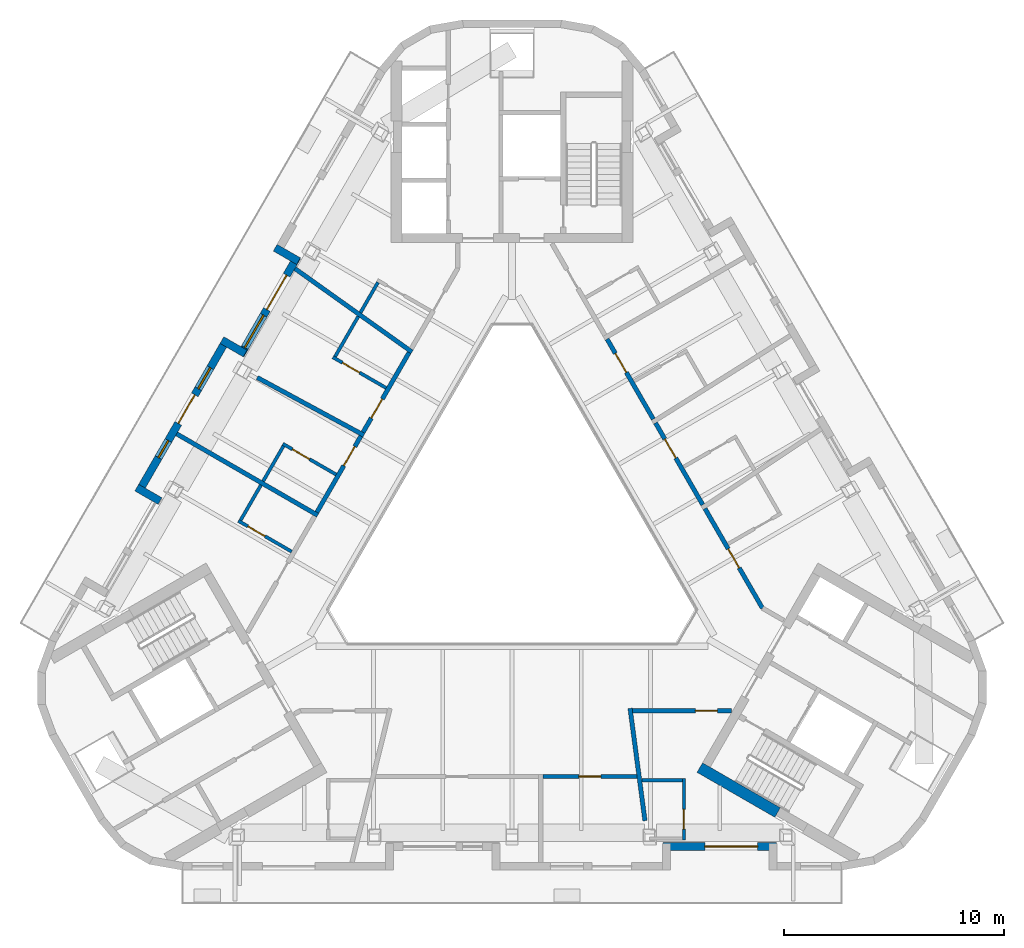
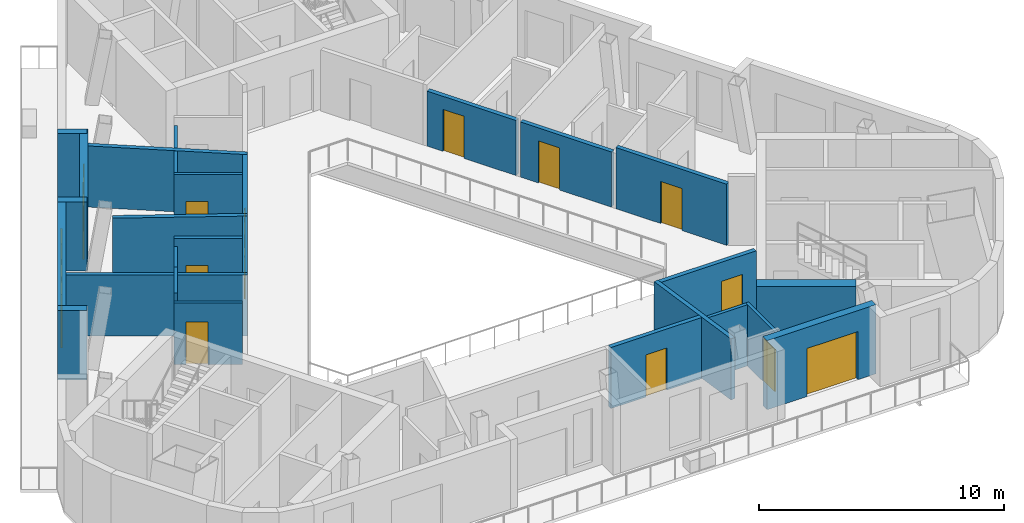
# One storey, part 4 of 11: 27 walls, 14 doors, 3 windows, 17 openings.
"""IFC4 building model written with IfcOpenShell, lengths in metres."""

import ifcopenshell
import ifcopenshell.guid

model = None  # the IFC model being written
_history = None  # IfcOwnerHistory: only IFC2X3 demands one
_inside = {}  # id of a spatial element -> (the spatial element, [elements in it])
_under = {}  # id of a project, library or spatial element -> (it, [spatial elements below it])
_declared = {}  # id of a project -> (the project, [libraries it declares])
_typed = {}  # id of a type object -> (the type object, [elements of that type])
_made_of = {}  # id of a material, layer set ... -> (it, [elements and type objects made of it])


def new_model(schema):
    """Start an empty IFC model of exactly this schema.

    Asked for "IFC4X3", IfcOpenShell would pick the latest addendum, in which some entities
    have other attributes; the version numbers below select the first issue.
    IFC2X3 requires an IfcOwnerHistory on every rooted entity: one is made here for all.
    """
    global model, _history
    if schema == "IFC4X3":
        model = ifcopenshell.file(schema_version=(4, 3, 0, 0))
    else:
        model = ifcopenshell.file(schema=schema)
    _inside.clear()
    _under.clear()
    _declared.clear()
    _typed.clear()
    _made_of.clear()
    _history = None
    if model.schema == "IFC2X3":
        org = make("IfcOrganization", Name="unknown")
        user = make(
            "IfcPersonAndOrganization",
            ThePerson=make("IfcPerson", FamilyName="unknown"),
            TheOrganization=org,
        )
        app = make(
            "IfcApplication",
            ApplicationDeveloper=org,
            Version="unknown",
            ApplicationFullName="unknown",
            ApplicationIdentifier="unknown",
        )
        _history = make(
            "IfcOwnerHistory",
            OwningUser=user,
            OwningApplication=app,
            ChangeAction="ADDED",
            CreationDate=0,
        )
    return model


def make(cls, **values):
    """One entity of the class cls with the attributes given. An attribute that is None is left unset."""
    return model.create_entity(
        cls, **{name: value for name, value in values.items() if value is not None}
    )


def rooted(cls, **values):
    """An entity with a GlobalId (a new one), such as an element, a storey or a relation."""
    return make(cls, GlobalId=ifcopenshell.guid.new(), OwnerHistory=_history, **values)


def si_unit(unit_type, name, prefix=None):
    """IfcSIUnit, for example si_unit("LENGTHUNIT", "METRE", prefix="MILLI")."""
    return make("IfcSIUnit", UnitType=unit_type, Prefix=prefix, Name=name)


def assignment(units):
    """IfcUnitAssignment: the units of a project."""
    return None if units is None else make("IfcUnitAssignment", Units=units)


def point(xyz):
    """IfcCartesianPoint."""
    return None if xyz is None else make("IfcCartesianPoint", Coordinates=xyz)


def direction(xyz):
    """IfcDirection."""
    return None if xyz is None else make("IfcDirection", DirectionRatios=xyz)


def frame(location, z_axis=None, x_axis=None):
    """IfcAxis2Placement3D, a coordinate frame: its origin and axes. An axis left out is left unset."""
    return make(
        "IfcAxis2Placement3D",
        Location=point(location),
        Axis=direction(z_axis),
        RefDirection=direction(x_axis),
    )


def frame_2d(location, x_axis=None):
    """IfcAxis2Placement2D, a coordinate frame in the plane: its origin and x axis."""
    return make(
        "IfcAxis2Placement2D", Location=point(location), RefDirection=direction(x_axis)
    )


def origin():
    """The frame at (0, 0, 0) with its axes left unset."""
    return frame((0.0, 0.0, 0.0))


def place(relative_to, where):
    """IfcLocalPlacement: puts the frame where relative to a parent placement (None: the world)."""
    return make(
        "IfcLocalPlacement", PlacementRelTo=relative_to, RelativePlacement=where
    )


def context(
    kind, dimensions, precision=None, world=None, true_north=None, identifier=None
):
    """IfcGeometricRepresentationContext, for example the 3D "Model" context."""
    return make(
        "IfcGeometricRepresentationContext",
        ContextIdentifier=identifier,
        ContextType=kind,
        CoordinateSpaceDimension=dimensions,
        Precision=precision,
        WorldCoordinateSystem=world,
        TrueNorth=true_north,
    )


def subcontext(parent, identifier, kind, view, scale=None):
    """IfcGeometricRepresentationSubContext, for example "Body" below "Model"."""
    return make(
        "IfcGeometricRepresentationSubContext",
        ContextIdentifier=identifier,
        ContextType=kind,
        ParentContext=parent,
        TargetScale=scale,
        TargetView=view,
    )


def project(units=None, contexts=None):
    """IfcProject with its units and contexts."""
    return rooted(
        "IfcProject",
        Name="project",
        RepresentationContexts=contexts,
        UnitsInContext=assignment(units),
    )


def spatial(cls, under=None, at=None, **own):
    """A site, building, storey or space (cls), placed at a placement, below another one or the project."""
    s = rooted(cls, ObjectPlacement=at, **own)
    if under is not None:
        _under.setdefault(under.id(), (under, []))[1].append(s)
    return s


def profile(cls, at=None, kind="AREA", **sizes):
    """A parametric profile (cls). Its sizes go by their IFC names, for example OverallWidth=200.0."""
    return make(cls, ProfileType=kind, Position=at, **sizes)


def rectangle(**sizes):
    """IfcRectangleProfileDef."""
    return profile("IfcRectangleProfileDef", **sizes)


def extrude(swept, where, along, depth):
    """IfcExtrudedAreaSolid: the profile swept, set in the frame where, extruded along a direction by depth."""
    return make(
        "IfcExtrudedAreaSolid",
        SweptArea=swept,
        Position=where,
        ExtrudedDirection=direction(along),
        Depth=depth,
    )


def shape(context_of_items, identifier, shape_type, items):
    """IfcShapeRepresentation: the items that make up one representation, for example the "Body"."""
    return make(
        "IfcShapeRepresentation",
        ContextOfItems=context_of_items,
        RepresentationIdentifier=identifier,
        RepresentationType=shape_type,
        Items=items,
    )


def material(Name=None, Category=None):
    """IfcMaterial."""
    return make("IfcMaterial", Name=Name, Category=Category)


def layer(
    of_material, thickness, ventilated=None, Name=None, Category=None, Priority=None
):
    """IfcMaterialLayer: one layer of a wall or slab, of a material (None: an air gap)."""
    return make(
        "IfcMaterialLayer",
        Material=of_material,
        LayerThickness=thickness,
        IsVentilated=ventilated,
        Name=Name,
        Category=Category,
        Priority=Priority,
    )


def layer_set(layers, Name=None):
    """IfcMaterialLayerSet."""
    return make("IfcMaterialLayerSet", MaterialLayers=layers, LayerSetName=Name)


def made_of(thing, what):
    """Note that an element or type object is made of a material, layer set ...; save() writes the relation."""
    if what is not None:
        _made_of.setdefault(what.id(), (what, []))[1].append(thing)
    return thing


def type_object(cls, material=None, **own):
    """A type object (cls), such as IfcWallType, which elements share."""
    return made_of(rooted(cls, **own), material)


def element(
    cls,
    number,
    at=None,
    inside=None,
    cuts=None,
    type_object=None,
    material=None,
    context=None,
    identifier="Body",
    shape_type=None,
    held_by="IfcProductDefinitionShape",
    body=None,
    shapes=None,
    **own,
):
    """One element of the class cls, such as IfcWall. Its Tag is "e" and its number.

    at: its placement. inside: the storey or other place that contains it. cuts: it is an
    opening in that element (IfcRelVoidsElement). A single representation is given by context,
    identifier, shape_type and body (its items); several are given by shapes. held_by: the class
    of the entity that holds the representations. save() writes the other relations.
    """
    e = rooted(cls, Tag="e%d" % number, ObjectPlacement=at, **own)
    if body is not None:
        shapes = [shape(context, identifier, shape_type, body)]
    if shapes is not None:
        e.Representation = make(held_by, Representations=shapes)
    if inside is not None:
        _inside.setdefault(inside.id(), (inside, []))[1].append(e)
    if cuts is not None:
        rooted(
            "IfcRelVoidsElement", RelatingBuildingElement=cuts, RelatedOpeningElement=e
        )
    if type_object is not None:
        _typed.setdefault(type_object.id(), (type_object, []))[1].append(e)
    return made_of(e, material)


def fill(opening, filler):
    """IfcRelFillsElement: the door or window that sits in an opening."""
    return rooted(
        "IfcRelFillsElement",
        RelatingOpeningElement=opening,
        RelatedBuildingElement=filler,
    )


def aggregate(whole, parts):
    """IfcRelAggregates: a whole, such as a stair, and the parts it consists of."""
    return rooted("IfcRelAggregates", RelatingObject=whole, RelatedObjects=parts)


def save(model, path):
    """Write the relations noted so far, then the file.

    IfcRelAggregates (storeys below a building ...), IfcRelContainedInSpatialStructure (elements
    in a storey), IfcRelDefinesByType, IfcRelAssociatesMaterial and IfcRelDeclares: one each for
    every whole, place, type object, material and project.
    """
    for whole, parts in _under.values():
        aggregate(whole, parts)
    for where, things in _inside.values():
        rooted(
            "IfcRelContainedInSpatialStructure",
            RelatedElements=things,
            RelatingStructure=where,
        )
    for kind, things in _typed.values():
        rooted("IfcRelDefinesByType", RelatedObjects=things, RelatingType=kind)
    for what, things in _made_of.values():
        rooted("IfcRelAssociatesMaterial", RelatedObjects=things, RelatingMaterial=what)
    for by, libraries in _declared.values():
        rooted("IfcRelDeclares", RelatingContext=by, RelatedDefinitions=libraries)
    model.write(path)


model = new_model("IFC4")

# Units and contexts
model_context = context("Model", 3, precision=1e-05, world=origin(), true_north=direction((0.0, 1.0)))
body_context = subcontext(model_context, "Body", "Model", "MODEL_VIEW")
ifc_project = project(units=[si_unit("LENGTHUNIT", "METRE"), si_unit("AREAUNIT", "SQUARE_METRE"), si_unit("VOLUMEUNIT", "CUBIC_METRE"), si_unit("PLANEANGLEUNIT", "RADIAN"), si_unit("MASSUNIT", "GRAM", prefix="KILO")], contexts=[model_context])

# Site, building, storey
site_placement = place(None, origin())
site = spatial("IfcSite", under=ifc_project, at=site_placement, CompositionType="ELEMENT")
building_placement = place(site_placement, origin())
building = spatial("IfcBuilding", under=site, at=building_placement, Name="Apuvela Tower Hotel", CompositionType="ELEMENT")
storey_placement = place(building_placement, frame((0.0, 0.0, 328.10009765625)))
storey = spatial("IfcBuildingStorey", under=building, at=storey_placement, Name="L82", CompositionType="ELEMENT", Elevation=328.10009765625)

# Walls
ifc_material_1 = material(Name="Concrete C50/60", Category="concrete")
ifc_layer_1 = layer(ifc_material_1, 0.5)
ifc_layer_set_1 = layer_set([ifc_layer_1], Name="COR-WALL-CORE-500")
wall_type_1 = type_object("IfcWallType", Name="COR-WALL-CORE-500", PredefinedType="SHEAR", material=ifc_layer_set_1)
wall_1_placement = place(storey_placement, frame((8.546630859375, -10.99658203125, 0.0), z_axis=(0.0, 0.0, 1.0), x_axis=(0.866031306094, -0.49998977676, 0.0)))
element("IfcWall", 1, at=wall_1_placement, inside=storey, type_object=wall_type_1, Name="Core wall SE", PredefinedType="SHEAR", context=body_context, shape_type="SweptSolid", body=[
    extrude(rectangle(XDim=4.08447265625, YDim=0.5, at=frame_2d((2.042236328125, 0.0))), origin(), (0.0, 0.0, 1.0), 3.449951171875),
])
ifc_material_2 = material(Name="Concrete C40/50, dark pigmented precast panel", Category="concrete")
ifc_layer_2 = layer(ifc_material_2, 0.35009765625)
ifc_layer_set_2 = layer_set([ifc_layer_2], Name="ENV-WALL-350")
wall_type_2 = type_object("IfcWallType", Name="ENV-WALL-350", PredefinedType="SOLIDWALL", material=ifc_layer_set_2)
wall_2_placement = place(storey_placement, frame((-10.773681640625, 12.660400390625, 0.0), z_axis=(0.0, 0.0, 1.0), x_axis=(0.866142280446, -0.499797509021, 0.0)))
element("IfcWall", 2, at=wall_2_placement, inside=storey, type_object=wall_type_2, Name="External wall L82-02", PredefinedType="SOLIDWALL", context=body_context, shape_type="SweptSolid", body=[
    extrude(rectangle(XDim=1.22021484375, YDim=0.35009765625, at=frame_2d((0.610107421875, 0.0))), origin(), (0.0, 0.0, 1.0), 3.449951171875),
])

# Wall, openings, door, window
wall_3_placement = place(storey_placement, frame((-9.77001953125, 12.24853515625, 0.0), z_axis=(0.0, 0.0, 1.0), x_axis=(-0.499999159329, -0.866025889145, 0.0)))
wall_3 = element("IfcWall", 3, at=wall_3_placement, inside=storey, type_object=wall_type_2, Name="External wall L82-03", PredefinedType="SOLIDWALL", context=body_context, shape_type="SweptSolid", body=[
    extrude(rectangle(XDim=5.142578125, YDim=0.35009765625, at=frame_2d((2.5712890625, 0.0))), origin(), (0.0, 0.0, 1.0), 3.449951171875),
])
opening_1_placement = place(wall_3_placement, frame((0.968994140625, 0.0, 0.0)))
opening_1 = element("IfcOpeningElement", 4, at=opening_1_placement, cuts=wall_3, Name="Opening BD18", PredefinedType="OPENING", context=body_context, shape_type="SweptSolid", body=[
    extrude(rectangle(XDim=1.800048828125, YDim=2.39990234375, at=frame_2d((0.89990234375, 1.199951171875))), frame((0.0, 0.18505859375, 0.0), z_axis=(0.0, -1.0, 0.0), x_axis=(1.0, 0.0, 0.0)), (0.0, 0.0, 1.0), 0.3701171875),
])
opening_2_placement = place(wall_3_placement, frame((3.06884765625, 0.0, 0.300048828125)))
opening_2 = element("IfcOpeningElement", 5, at=opening_2_placement, cuts=wall_3, Name="Opening WN17", PredefinedType="OPENING", context=body_context, shape_type="SweptSolid", body=[
    extrude(rectangle(XDim=1.699951171875, YDim=2.64990234375, at=frame_2d((0.85009765625, 1.324951171875))), frame((0.0, 0.18505859375, 0.0), z_axis=(0.0, -1.0, 0.0), x_axis=(1.0, 0.0, 0.0)), (0.0, 0.0, 1.0), 0.3701171875),
])
ifc_material_3 = material(Name="Aluminium 6063-T6, dark bronze anodised frame with dark tinted laminated glass", Category="aluminium")
door_type_1 = type_object("IfcDoorType", Name="ENV-DOOR-BALCONY-1800x2400", OperationType="SLIDING_TO_LEFT", PredefinedType="DOOR", material=ifc_material_3)
door_1_placement = place(opening_1_placement, frame((1.800048828125, 0.0, 0.0), z_axis=(0.0, 0.0, 1.0), x_axis=(-1.0, 0.0, 0.0)))
door_1 = element("IfcDoor", 6, at=door_1_placement, inside=storey, type_object=door_type_1, Name="Balcony door BD18", OperationType="SLIDING_TO_LEFT", OverallHeight=2.39990234375, OverallWidth=1.800048828125, PredefinedType="DOOR", context=body_context, shape_type="SweptSolid", body=[
    extrude(rectangle(XDim=1.800048828125, YDim=2.39990234375, at=frame_2d((0.89990234375, 1.199951171875))), frame((0.0, 0.02490234375, 0.0), z_axis=(0.0, -1.0, 0.0), x_axis=(1.0, 0.0, 0.0)), (0.0, 0.0, 1.0), 0.050048828125),
])
fill(opening_1, door_1)
ifc_material_4 = material(Name="Glass, dark tinted laminated insulated glazing unit", Category="glass")
window_type_1 = type_object("IfcWindowType", Name="ENV-WIN-1700x2650", PartitioningType="SINGLE_PANEL", PredefinedType="WINDOW", material=ifc_material_4)
window_1_placement = place(opening_2_placement, origin())
window_1 = element("IfcWindow", 7, at=window_1_placement, inside=storey, type_object=window_type_1, Name="Window WN17", OverallHeight=2.64990234375, OverallWidth=1.699951171875, PartitioningType="SINGLE_PANEL", PredefinedType="WINDOW", context=body_context, shape_type="SweptSolid", body=[
    extrude(rectangle(XDim=1.699951171875, YDim=2.64990234375, at=frame_2d((0.85009765625, 1.324951171875))), frame((0.0, 0.030029296875, 0.0), z_axis=(0.0, -1.0, 0.0), x_axis=(1.0, 0.0, 0.0)), (0.0, 0.0, 1.0), 0.06005859375),
])
fill(opening_2, window_1)

# Wall
wall_4_placement = place(storey_placement, frame((-12.143310546875, 7.847900390625, 0.0), z_axis=(0.0, 0.0, 1.0), x_axis=(-0.865955602162, 0.500120880472, 0.0)))
element("IfcWall", 8, at=wall_4_placement, inside=storey, type_object=wall_type_2, Name="External wall L82-04", PredefinedType="SOLIDWALL", context=body_context, shape_type="SweptSolid", body=[
    extrude(rectangle(XDim=1.219970703125, YDim=0.35009765625, at=frame_2d((0.60986328125, 0.0))), origin(), (0.0, 0.0, 1.0), 3.449951171875),
])

# Wall, openings, door, windows
wall_5_placement = place(storey_placement, frame((-12.960693359375, 8.522216796875, 0.0), z_axis=(0.0, 0.0, 1.0), x_axis=(-0.499995447853, -0.866028031952, 0.0)))
wall_5 = element("IfcWall", 9, at=wall_5_placement, inside=storey, type_object=wall_type_2, Name="External wall L82-05", PredefinedType="SOLIDWALL", context=body_context, shape_type="SweptSolid", body=[
    extrude(rectangle(XDim=8.1025390625, YDim=0.35009765625, at=frame_2d((4.05126953125, 0.0))), origin(), (0.0, 0.0, 1.0), 3.449951171875),
])
opening_3_placement = place(wall_5_placement, frame((2.9501953125, 0.0, 0.0)))
opening_3 = element("IfcOpeningElement", 10, at=opening_3_placement, cuts=wall_5, Name="Opening BD15", PredefinedType="OPENING", context=body_context, shape_type="SweptSolid", body=[
    extrude(rectangle(XDim=1.5, YDim=2.39990234375, at=frame_2d((0.75, 1.199951171875))), frame((0.0, 0.18505859375, 0.0), z_axis=(0.0, -1.0, 0.0), x_axis=(1.0, 0.0, 0.0)), (0.0, 0.0, 1.0), 0.3701171875),
])
opening_4_placement = place(wall_5_placement, frame((1.52783203125, 0.0, 0.300048828125)))
opening_4 = element("IfcOpeningElement", 11, at=opening_4_placement, cuts=wall_5, Name="Opening WN11", PredefinedType="OPENING", context=body_context, shape_type="SweptSolid", body=[
    extrude(rectangle(XDim=1.10009765625, YDim=2.64990234375, at=frame_2d((0.550048828125, 1.324951171875))), frame((0.0, 0.18505859375, 0.0), z_axis=(0.0, -1.0, 0.0), x_axis=(1.0, 0.0, 0.0)), (0.0, 0.0, 1.0), 0.3701171875),
])
opening_5_placement = place(wall_5_placement, frame((5.35009765625, 0.0, 0.300048828125)))
opening_5 = element("IfcOpeningElement", 12, at=opening_5_placement, cuts=wall_5, Name="Opening WN09", PredefinedType="OPENING", context=body_context, shape_type="SweptSolid", body=[
    extrude(rectangle(XDim=0.89990234375, YDim=2.64990234375, at=frame_2d((0.449951171875, 1.324951171875))), frame((0.0, 0.18505859375, 0.0), z_axis=(0.0, -1.0, 0.0), x_axis=(1.0, 0.0, 0.0)), (0.0, 0.0, 1.0), 0.3701171875),
])
door_type_2 = type_object("IfcDoorType", Name="ENV-DOOR-BALCONY-1500x2400", OperationType="SLIDING_TO_LEFT", PredefinedType="DOOR", material=ifc_material_3)
door_2_placement = place(opening_3_placement, frame((1.5, 0.0, 0.0), z_axis=(0.0, 0.0, 1.0), x_axis=(-1.0, 0.0, 0.0)))
door_2 = element("IfcDoor", 13, at=door_2_placement, inside=storey, type_object=door_type_2, Name="Balcony door BD15", OperationType="SLIDING_TO_LEFT", OverallHeight=2.39990234375, OverallWidth=1.5, PredefinedType="DOOR", context=body_context, shape_type="SweptSolid", body=[
    extrude(rectangle(XDim=1.5, YDim=2.39990234375, at=frame_2d((0.75, 1.199951171875))), frame((0.0, 0.02490234375, 0.0), z_axis=(0.0, -1.0, 0.0), x_axis=(1.0, 0.0, 0.0)), (0.0, 0.0, 1.0), 0.050048828125),
])
fill(opening_3, door_2)
window_type_2 = type_object("IfcWindowType", Name="ENV-WIN-1100x2650", PartitioningType="SINGLE_PANEL", PredefinedType="WINDOW", material=ifc_material_4)
window_2_placement = place(opening_4_placement, origin())
window_2 = element("IfcWindow", 14, at=window_2_placement, inside=storey, type_object=window_type_2, Name="Window WN11", OverallHeight=2.64990234375, OverallWidth=1.10009765625, PartitioningType="SINGLE_PANEL", PredefinedType="WINDOW", context=body_context, shape_type="SweptSolid", body=[
    extrude(rectangle(XDim=1.10009765625, YDim=2.64990234375, at=frame_2d((0.550048828125, 1.324951171875))), frame((0.0, 0.030029296875, 0.0), z_axis=(0.0, -1.0, 0.0), x_axis=(1.0, 0.0, 0.0)), (0.0, 0.0, 1.0), 0.06005859375),
])
fill(opening_4, window_2)
window_type_3 = type_object("IfcWindowType", Name="ENV-WIN-900x2650", PartitioningType="SINGLE_PANEL", PredefinedType="WINDOW", material=ifc_material_4)
window_3_placement = place(opening_5_placement, origin())
window_3 = element("IfcWindow", 15, at=window_3_placement, inside=storey, type_object=window_type_3, Name="Window WN09", OverallHeight=2.64990234375, OverallWidth=0.89990234375, PartitioningType="SINGLE_PANEL", PredefinedType="WINDOW", context=body_context, shape_type="SweptSolid", body=[
    extrude(rectangle(XDim=0.89990234375, YDim=2.64990234375, at=frame_2d((0.449951171875, 1.324951171875))), frame((0.0, 0.030029296875, 0.0), z_axis=(0.0, -1.0, 0.0), x_axis=(1.0, 0.0, 0.0)), (0.0, 0.0, 1.0), 0.06005859375),
])
fill(opening_5, window_3)

# Wall
wall_6_placement = place(storey_placement, frame((-17.075927734375, 1.744384765625, 0.0), z_axis=(0.0, 0.0, 1.0), x_axis=(0.866005645448, -0.500034220881, 0.0)))
element("IfcWall", 16, at=wall_6_placement, inside=storey, type_object=wall_type_2, Name="External wall L82-06", PredefinedType="SOLIDWALL", context=body_context, shape_type="SweptSolid", body=[
    extrude(rectangle(XDim=1.22021484375, YDim=0.35009765625, at=frame_2d((0.610107421875, 0.0))), origin(), (0.0, 0.0, 1.0), 3.449951171875),
])

# Wall, opening, door
wall_7_placement = place(storey_placement, frame((6.88232421875, -14.58544921875, 0.0), z_axis=(0.0, 0.0, 1.0), x_axis=(1.0, 0.0, 0.0)))
wall_7 = element("IfcWall", 17, at=wall_7_placement, inside=storey, type_object=wall_type_2, Name="External wall L82-23", PredefinedType="SOLIDWALL", context=body_context, shape_type="SweptSolid", body=[
    extrude(rectangle(XDim=5.142578125, YDim=0.35009765625, at=frame_2d((2.5712890625, 0.0))), origin(), (0.0, 0.0, 1.0), 3.449951171875),
])
opening_6_placement = place(wall_7_placement, frame((1.894287109375, 0.0, 0.0)))
opening_6 = element("IfcOpeningElement", 18, at=opening_6_placement, cuts=wall_7, Name="Opening BD24", PredefinedType="OPENING", context=body_context, shape_type="SweptSolid", body=[
    extrude(rectangle(XDim=2.39990234375, YDim=2.39990234375, at=frame_2d((1.199951171875, 1.199951171875))), frame((0.0, 0.18505859375, 0.0), z_axis=(0.0, -1.0, 0.0), x_axis=(1.0, 0.0, 0.0)), (0.0, 0.0, 1.0), 0.3701171875),
])
door_type_3 = type_object("IfcDoorType", Name="ENV-DOOR-BALCONY-2400x2400", OperationType="SLIDING_TO_LEFT", PredefinedType="DOOR", material=ifc_material_3)
door_3_placement = place(opening_6_placement, frame((2.39990234375, 0.0, 0.0), z_axis=(0.0, 0.0, 1.0), x_axis=(-1.0, 0.0, 0.0)))
door_3 = element("IfcDoor", 19, at=door_3_placement, inside=storey, type_object=door_type_3, Name="Balcony door BD24", OperationType="SLIDING_TO_LEFT", OverallHeight=2.39990234375, OverallWidth=2.39990234375, PredefinedType="DOOR", context=body_context, shape_type="SweptSolid", body=[
    extrude(rectangle(XDim=2.39990234375, YDim=2.39990234375, at=frame_2d((1.199951171875, 1.199951171875))), frame((0.0, 0.02490234375, 0.0), z_axis=(0.0, -1.0, 0.0), x_axis=(1.0, 0.0, 0.0)), (0.0, 0.0, 1.0), 0.050048828125),
])
fill(opening_6, door_3)

# Walls
ifc_material_5 = material(Name="Gypsum board partition on twin steel stud", Category="steel")
ifc_layer_3 = layer(ifc_material_5, 0.199951171875)
ifc_layer_set_3 = layer_set([ifc_layer_3], Name="GST-PW1")
wall_type_3 = type_object("IfcWallType", Name="GST-PW1", PredefinedType="PARTITIONING", material=ifc_layer_set_3)
wall_8_placement = place(storey_placement, frame((6.05126953125, -13.41455078125, 0.0), z_axis=(0.0, 0.0, 1.0), x_axis=(-0.131363967537, 0.991334206024, 0.0)))
element("IfcWall", 20, at=wall_8_placement, inside=storey, type_object=wall_type_3, Name="L82 partition 03", PredefinedType="PARTITIONING", context=body_context, shape_type="SweptSolid", body=[
    extrude(rectangle(XDim=5.1591796875, YDim=0.199951171875, at=frame_2d((2.57958984375, 0.0))), origin(), (0.0, 0.0, 1.0), 3.0498046875),
])
wall_9_placement = place(storey_placement, frame((-9.877685546875, 11.7119140625, 0.0), z_axis=(0.0, 0.0, 1.0), x_axis=(0.814431562196, -0.580259623357, 0.0)))
element("IfcWall", 21, at=wall_9_placement, inside=storey, type_object=wall_type_3, Name="L82 partition 07", PredefinedType="PARTITIONING", context=body_context, shape_type="SweptSolid", body=[
    extrude(rectangle(XDim=6.5400390625, YDim=0.199951171875, at=frame_2d((3.27001953125, 0.0))), origin(), (0.0, 0.0, 1.0), 3.0498046875),
])
wall_10_placement = place(storey_placement, frame((-11.591552734375, 6.7529296875, 0.0), z_axis=(0.0, 0.0, 1.0), x_axis=(0.879564392882, -0.475779863776, 0.0)))
element("IfcWall", 22, at=wall_10_placement, inside=storey, type_object=wall_type_3, Name="L82 partition 08", PredefinedType="PARTITIONING", context=body_context, shape_type="SweptSolid", body=[
    extrude(rectangle(XDim=5.517333984375, YDim=0.199951171875, at=frame_2d((2.7587890625, 0.0))), origin(), (0.0, 0.0, 1.0), 3.0498046875),
])
wall_11_placement = place(storey_placement, frame((-15.25927734375, 4.191162109375, 0.0), z_axis=(0.0, 0.0, 1.0), x_axis=(0.866022643759, -0.500004780474, 0.0)))
element("IfcWall", 23, at=wall_11_placement, inside=storey, type_object=wall_type_3, Name="L82 partition 09", PredefinedType="PARTITIONING", context=body_context, shape_type="SweptSolid", body=[
    extrude(rectangle(XDim=7.41064453125, YDim=0.199951171875, at=frame_2d((3.705322265625, 0.0))), origin(), (0.0, 0.0, 1.0), 3.0498046875),
])

# Wall, opening, door
ifc_material_6 = material(Name="Gypsum board corridor wall on twin steel stud, acoustic", Category="steel")
ifc_layer_4 = layer(ifc_material_6, 0.199951171875)
ifc_layer_set_4 = layer_set([ifc_layer_4], Name="GST-PW2")
wall_type_4 = type_object("IfcWallType", Name="GST-PW2", PredefinedType="PARTITIONING", material=ifc_layer_set_4)
wall_12_placement = place(storey_placement, frame((5.683349609375, -11.39990234375, 0.0), z_axis=(0.0, 0.0, 1.0), x_axis=(-1.0, 0.0, 0.0)))
wall_12 = element("IfcWall", 24, at=wall_12_placement, inside=storey, type_object=wall_type_4, Name="L82 partition 16", PredefinedType="PARTITIONING", context=body_context, shape_type="SweptSolid", body=[
    extrude(rectangle(XDim=4.283447265625, YDim=0.199951171875, at=frame_2d((2.1416015625, 0.0))), origin(), (0.0, 0.0, 1.0), 3.0498046875),
])
opening_7_placement = place(wall_12_placement, frame((1.6416015625, 0.0, 0.0)))
opening_7 = element("IfcOpeningElement", 25, at=opening_7_placement, cuts=wall_12, Name="Opening GD36-04", PredefinedType="OPENING", context=body_context, shape_type="SweptSolid", body=[
    extrude(rectangle(XDim=1.0, YDim=2.10009765625, at=frame_2d((0.5, 1.050048828125))), frame((0.0, 0.10986328125, 0.0), z_axis=(0.0, -1.0, 0.0), x_axis=(1.0, 0.0, 0.0)), (0.0, 0.0, 1.0), 0.219970703125),
])
ifc_material_7 = material(Name="Timber door leaf in steel frame", Category="steel")
door_type_4 = type_object("IfcDoorType", Name="GST-D1", OperationType="NOTDEFINED", PredefinedType="DOOR", material=ifc_material_7)
door_4_placement = place(opening_7_placement, origin())
door_4 = element("IfcDoor", 26, at=door_4_placement, inside=storey, type_object=door_type_4, Name="Door L82-04", OperationType="SINGLE_SWING_LEFT", OverallHeight=2.10009765625, OverallWidth=1.0, PredefinedType="DOOR", context=body_context, shape_type="SweptSolid", body=[
    extrude(rectangle(XDim=1.0, YDim=2.10009765625, at=frame_2d((0.5, 1.050048828125))), frame((0.0, 0.02490234375, 0.0), z_axis=(0.0, -1.0, 0.0), x_axis=(1.0, 0.0, 0.0)), (0.0, 0.0, 1.0), 0.050048828125),
])
fill(opening_7, door_4)

wall_13_placement = place(storey_placement, frame((9.98828125, -8.39990234375, 0.0), z_axis=(0.0, 0.0, 1.0), x_axis=(-1.0, 0.0, 0.0)))
wall_13 = element("IfcWall", 27, at=wall_13_placement, inside=storey, type_object=wall_type_4, Name="L82 partition 17", PredefinedType="PARTITIONING", context=body_context, shape_type="SweptSolid", body=[
    extrude(rectangle(XDim=4.500732421875, YDim=0.199951171875, at=frame_2d((2.25048828125, 0.0))), origin(), (0.0, 0.0, 1.0), 3.0498046875),
])
opening_8_placement = place(wall_13_placement, frame((0.639892578125, 0.0, 0.0)))
opening_8 = element("IfcOpeningElement", 28, at=opening_8_placement, cuts=wall_13, Name="Opening GD36-06", PredefinedType="OPENING", context=body_context, shape_type="SweptSolid", body=[
    extrude(rectangle(XDim=1.0, YDim=2.10009765625, at=frame_2d((0.5, 1.050048828125))), frame((0.0, 0.10986328125, 0.0), z_axis=(0.0, -1.0, 0.0), x_axis=(1.0, 0.0, 0.0)), (0.0, 0.0, 1.0), 0.219970703125),
])
door_5_placement = place(opening_8_placement, origin())
door_5 = element("IfcDoor", 29, at=door_5_placement, inside=storey, type_object=door_type_4, Name="Door L82-06", OperationType="SINGLE_SWING_LEFT", OverallHeight=2.10009765625, OverallWidth=1.0, PredefinedType="DOOR", context=body_context, shape_type="SweptSolid", body=[
    extrude(rectangle(XDim=1.0, YDim=2.10009765625, at=frame_2d((0.5, 1.050048828125))), frame((0.0, 0.02490234375, 0.0), z_axis=(0.0, -1.0, 0.0), x_axis=(1.0, 0.0, 0.0)), (0.0, 0.0, 1.0), 0.050048828125),
])
fill(opening_8, door_5)

wall_14_placement = place(storey_placement, frame((8.781494140625, 0.7900390625, 0.0), z_axis=(0.0, 0.0, 1.0), x_axis=(0.499999923186, -0.866025448133, 0.0)))
wall_14 = element("IfcWall", 30, at=wall_14_placement, inside=storey, type_object=wall_type_4, Name="L82 partition 21", PredefinedType="PARTITIONING", context=body_context, shape_type="SweptSolid", body=[
    extrude(rectangle(XDim=5.22998046875, YDim=0.199951171875, at=frame_2d((2.614990234375, 0.0))), origin(), (0.0, 0.0, 1.0), 3.0498046875),
])
opening_9_placement = place(wall_14_placement, frame((2.114990234375, 0.0, 0.0)))
opening_9 = element("IfcOpeningElement", 31, at=opening_9_placement, cuts=wall_14, Name="Opening GD36-08", PredefinedType="OPENING", context=body_context, shape_type="SweptSolid", body=[
    extrude(rectangle(XDim=1.0, YDim=2.10009765625, at=frame_2d((0.5, 1.050048828125))), frame((0.0, 0.10986328125, 0.0), z_axis=(0.0, -1.0, 0.0), x_axis=(1.0, 0.0, 0.0)), (0.0, 0.0, 1.0), 0.219970703125),
])
door_6_placement = place(opening_9_placement, origin())
door_6 = element("IfcDoor", 32, at=door_6_placement, inside=storey, type_object=door_type_4, Name="Door L82-08", OperationType="SINGLE_SWING_RIGHT", OverallHeight=2.10009765625, OverallWidth=1.0, PredefinedType="DOOR", context=body_context, shape_type="SweptSolid", body=[
    extrude(rectangle(XDim=1.0, YDim=2.10009765625, at=frame_2d((0.5, 1.050048828125))), frame((0.0, 0.02490234375, 0.0), z_axis=(0.0, -1.0, 0.0), x_axis=(1.0, 0.0, 0.0)), (0.0, 0.0, 1.0), 0.050048828125),
])
fill(opening_9, door_6)

wall_15_placement = place(storey_placement, frame((6.530029296875, 4.689453125, 0.0), z_axis=(0.0, 0.0, 1.0), x_axis=(0.500002449018, -0.866023989838, 0.0)))
wall_15 = element("IfcWall", 33, at=wall_15_placement, inside=storey, type_object=wall_type_4, Name="L82 partition 25", PredefinedType="PARTITIONING", context=body_context, shape_type="SweptSolid", body=[
    extrude(rectangle(XDim=4.30224609375, YDim=0.199951171875, at=frame_2d((2.151123046875, 0.0))), origin(), (0.0, 0.0, 1.0), 2.75),
])
opening_10_placement = place(wall_15_placement, frame((0.845947265625, 0.0, 0.0)))
opening_10 = element("IfcOpeningElement", 34, at=opening_10_placement, cuts=wall_15, Name="Opening GD36-10", PredefinedType="OPENING", context=body_context, shape_type="SweptSolid", body=[
    extrude(rectangle(XDim=1.0, YDim=2.10009765625, at=frame_2d((0.5, 1.050048828125))), frame((0.0, 0.10986328125, 0.0), z_axis=(0.0, -1.0, 0.0), x_axis=(1.0, 0.0, 0.0)), (0.0, 0.0, 1.0), 0.219970703125),
])
door_7_placement = place(opening_10_placement, origin())
door_7 = element("IfcDoor", 35, at=door_7_placement, inside=storey, type_object=door_type_4, Name="Door L82-10", OperationType="SINGLE_SWING_LEFT", OverallHeight=2.10009765625, OverallWidth=1.0, PredefinedType="DOOR", context=body_context, shape_type="SweptSolid", body=[
    extrude(rectangle(XDim=1.0, YDim=2.10009765625, at=frame_2d((0.5, 1.050048828125))), frame((0.0, 0.02490234375, 0.0), z_axis=(0.0, -1.0, 0.0), x_axis=(1.0, 0.0, 0.0)), (0.0, 0.0, 1.0), 0.050048828125),
])
fill(opening_10, door_7)

wall_16_placement = place(storey_placement, frame((4.328125, 8.50341796875, 0.0), z_axis=(0.0, 0.0, 1.0), x_axis=(0.499980520401, -0.866036650044, 0.0)))
wall_16 = element("IfcWall", 36, at=wall_16_placement, inside=storey, type_object=wall_type_4, Name="L82 partition 28", PredefinedType="PARTITIONING", context=body_context, shape_type="SweptSolid", body=[
    extrude(rectangle(XDim=4.203857421875, YDim=0.199951171875, at=frame_2d((2.10205078125, 0.0))), origin(), (0.0, 0.0, 1.0), 2.75),
])
opening_11_placement = place(wall_16_placement, frame((0.75, 0.0, 0.0)))
opening_11 = element("IfcOpeningElement", 37, at=opening_11_placement, cuts=wall_16, Name="Opening GD36-12", PredefinedType="OPENING", context=body_context, shape_type="SweptSolid", body=[
    extrude(rectangle(XDim=1.0, YDim=2.10009765625, at=frame_2d((0.5, 1.050048828125))), frame((0.0, 0.10986328125, 0.0), z_axis=(0.0, -1.0, 0.0), x_axis=(1.0, 0.0, 0.0)), (0.0, 0.0, 1.0), 0.219970703125),
])
door_8_placement = place(opening_11_placement, origin())
door_8 = element("IfcDoor", 38, at=door_8_placement, inside=storey, type_object=door_type_4, Name="Door L82-12", OperationType="SINGLE_SWING_LEFT", OverallHeight=2.10009765625, OverallWidth=1.0, PredefinedType="DOOR", context=body_context, shape_type="SweptSolid", body=[
    extrude(rectangle(XDim=1.0, YDim=2.10009765625, at=frame_2d((0.5, 1.050048828125))), frame((0.0, 0.02490234375, 0.0), z_axis=(0.0, -1.0, 0.0), x_axis=(1.0, 0.0, 0.0)), (0.0, 0.0, 1.0), 0.050048828125),
])
fill(opening_11, door_8)

wall_17_placement = place(storey_placement, frame((-6.77685546875, 4.26220703125, 0.0), z_axis=(0.0, 0.0, 1.0), x_axis=(0.500026956598, 0.866009839826, 0.0)))
wall_17 = element("IfcWall", 39, at=wall_17_placement, inside=storey, type_object=wall_type_4, Name="L82 partition 38", PredefinedType="PARTITIONING", context=body_context, shape_type="SweptSolid", body=[
    extrude(rectangle(XDim=4.187255859375, YDim=0.199951171875, at=frame_2d((2.09375, 0.0))), origin(), (0.0, 0.0, 1.0), 3.0498046875),
])
opening_12_placement = place(wall_17_placement, frame((0.746826171875, 0.0, 0.0)))
opening_12 = element("IfcOpeningElement", 40, at=opening_12_placement, cuts=wall_17, Name="Opening GD36-18", PredefinedType="OPENING", context=body_context, shape_type="SweptSolid", body=[
    extrude(rectangle(XDim=1.0, YDim=2.10009765625, at=frame_2d((0.5, 1.050048828125))), frame((0.0, 0.10986328125, 0.0), z_axis=(0.0, -1.0, 0.0), x_axis=(1.0, 0.0, 0.0)), (0.0, 0.0, 1.0), 0.219970703125),
])
door_9_placement = place(opening_12_placement, origin())
door_9 = element("IfcDoor", 41, at=door_9_placement, inside=storey, type_object=door_type_4, Name="Door L82-18", OperationType="SINGLE_SWING_LEFT", OverallHeight=2.10009765625, OverallWidth=1.0, PredefinedType="DOOR", context=body_context, shape_type="SweptSolid", body=[
    extrude(rectangle(XDim=1.0, YDim=2.10009765625, at=frame_2d((0.5, 1.050048828125))), frame((0.0, 0.02490234375, 0.0), z_axis=(0.0, -1.0, 0.0), x_axis=(1.0, 0.0, 0.0)), (0.0, 0.0, 1.0), 0.050048828125),
])
fill(opening_12, door_9)

wall_18_placement = place(storey_placement, frame((-8.878173828125, 0.62255859375, 0.0), z_axis=(0.0, 0.0, 1.0), x_axis=(0.500009310088, 0.866020028536, 0.0)))
wall_18 = element("IfcWall", 42, at=wall_18_placement, inside=storey, type_object=wall_type_4, Name="L82 partition 41", PredefinedType="PARTITIONING", context=body_context, shape_type="SweptSolid", body=[
    extrude(rectangle(XDim=4.0029296875, YDim=0.199951171875, at=frame_2d((2.00146484375, 0.0))), origin(), (0.0, 0.0, 1.0), 3.0498046875),
])
opening_13_placement = place(wall_18_placement, frame((2.449951171875, 0.0, 0.0)))
opening_13 = element("IfcOpeningElement", 43, at=opening_13_placement, cuts=wall_18, Name="Opening GD36-20", PredefinedType="OPENING", context=body_context, shape_type="SweptSolid", body=[
    extrude(rectangle(XDim=1.0, YDim=2.10009765625, at=frame_2d((0.5, 1.050048828125))), frame((0.0, 0.10986328125, 0.0), z_axis=(0.0, -1.0, 0.0), x_axis=(1.0, 0.0, 0.0)), (0.0, 0.0, 1.0), 0.219970703125),
])
door_10_placement = place(opening_13_placement, origin())
door_10 = element("IfcDoor", 44, at=door_10_placement, inside=storey, type_object=door_type_4, Name="Door L82-20", OperationType="SINGLE_SWING_RIGHT", OverallHeight=2.10009765625, OverallWidth=1.0, PredefinedType="DOOR", context=body_context, shape_type="SweptSolid", body=[
    extrude(rectangle(XDim=1.0, YDim=2.10009765625, at=frame_2d((0.5, 1.050048828125))), frame((0.0, 0.02490234375, 0.0), z_axis=(0.0, -1.0, 0.0), x_axis=(1.0, 0.0, 0.0)), (0.0, 0.0, 1.0), 0.050048828125),
])
fill(opening_13, door_10)

ifc_material_8 = material(Name="Moisture-resistant gypsum board wet wall on steel stud", Category="steel")
ifc_layer_5 = layer(ifc_material_8, 0.14990234375)
ifc_layer_set_5 = layer_set([ifc_layer_5], Name="GST-PW3")
wall_type_5 = type_object("IfcWallType", Name="GST-PW3", PredefinedType="PARTITIONING", material=ifc_layer_set_5)
wall_19_placement = place(storey_placement, frame((7.823486328125, -14.300048828125, 0.0), z_axis=(0.0, 0.0, 1.0), x_axis=(0.0, 1.0, 0.0)))
wall_19 = element("IfcWall", 45, at=wall_19_placement, inside=storey, type_object=wall_type_5, Name="L82 partition 18", PredefinedType="PARTITIONING", context=body_context, shape_type="SweptSolid", body=[
    extrude(rectangle(XDim=2.800048828125, YDim=0.14990234375, at=frame_2d((1.39990234375, 0.0))), origin(), (0.0, 0.0, 1.0), 3.0498046875),
])
opening_14_placement = place(wall_19_placement, frame((0.5, 0.0, 0.0)))
opening_14 = element("IfcOpeningElement", 46, at=opening_14_placement, cuts=wall_19, Name="Opening GD36-05", PredefinedType="OPENING", context=body_context, shape_type="SweptSolid", body=[
    extrude(rectangle(XDim=0.89990234375, YDim=2.10009765625, at=frame_2d((0.449951171875, 1.050048828125))), frame((0.0, 0.0849609375, 0.0), z_axis=(0.0, -1.0, 0.0), x_axis=(1.0, 0.0, 0.0)), (0.0, 0.0, 1.0), 0.169921875),
])
door_type_5 = type_object("IfcDoorType", Name="GST-D2", OperationType="NOTDEFINED", PredefinedType="DOOR", material=ifc_material_7)
door_11_placement = place(opening_14_placement, origin())
door_11 = element("IfcDoor", 47, at=door_11_placement, inside=storey, type_object=door_type_5, Name="Door L82-05", OperationType="SINGLE_SWING_LEFT", OverallHeight=2.10009765625, OverallWidth=0.89990234375, PredefinedType="DOOR", context=body_context, shape_type="SweptSolid", body=[
    extrude(rectangle(XDim=0.89990234375, YDim=2.10009765625, at=frame_2d((0.449951171875, 1.050048828125))), frame((0.0, 0.02490234375, 0.0), z_axis=(0.0, -1.0, 0.0), x_axis=(1.0, 0.0, 0.0)), (0.0, 0.0, 1.0), 0.050048828125),
])
fill(opening_14, door_11)

# Walls
wall_20_placement = place(storey_placement, frame((5.908203125, -11.574951171875, 0.0), z_axis=(0.0, 0.0, 1.0), x_axis=(1.0, 0.0, 0.0)))
element("IfcWall", 48, at=wall_20_placement, inside=storey, type_object=wall_type_5, Name="L82 partition 20", PredefinedType="PARTITIONING", context=body_context, shape_type="SweptSolid", body=[
    extrude(rectangle(XDim=1.840087890625, YDim=0.14990234375, at=frame_2d((0.919921875, 0.0))), origin(), (0.0, 0.0, 1.0), 3.0498046875),
])
wall_21_placement = place(storey_placement, frame((-6.099609375, 11.08544921875, 0.0), z_axis=(0.0, 0.0, 1.0), x_axis=(-0.49987316553, -0.866098619317, 0.0)))
element("IfcWall", 49, at=wall_21_placement, inside=storey, type_object=wall_type_5, Name="L82 partition 37", PredefinedType="PARTITIONING", context=body_context, shape_type="SweptSolid", body=[
    extrude(rectangle(XDim=1.58935546875, YDim=0.14990234375, at=frame_2d((0.794677734375, 0.0))), origin(), (0.0, 0.0, 1.0), 3.0498046875),
])

# Wall, opening, door
wall_22_placement = place(storey_placement, frame((-8.15234375, 7.6796875, 0.0), z_axis=(0.0, 0.0, 1.0), x_axis=(0.865996816683, -0.500049511043, 0.0)))
wall_22 = element("IfcWall", 50, at=wall_22_placement, inside=storey, type_object=wall_type_5, Name="L82 partition 39", PredefinedType="PARTITIONING", context=body_context, shape_type="SweptSolid", body=[
    extrude(rectangle(XDim=2.800048828125, YDim=0.14990234375, at=frame_2d((1.39990234375, 0.0))), origin(), (0.0, 0.0, 1.0), 3.449951171875),
])
opening_15_placement = place(wall_22_placement, frame((0.5, 0.0, 0.0)))
opening_15 = element("IfcOpeningElement", 51, at=opening_15_placement, cuts=wall_22, Name="Opening GD36-17", PredefinedType="OPENING", context=body_context, shape_type="SweptSolid", body=[
    extrude(rectangle(XDim=0.89990234375, YDim=2.10009765625, at=frame_2d((0.449951171875, 1.050048828125))), frame((0.0, 0.0849609375, 0.0), z_axis=(0.0, -1.0, 0.0), x_axis=(1.0, 0.0, 0.0)), (0.0, 0.0, 1.0), 0.169921875),
])
door_12_placement = place(opening_15_placement, origin())
door_12 = element("IfcDoor", 52, at=door_12_placement, inside=storey, type_object=door_type_5, Name="Door L82-17", OperationType="SINGLE_SWING_LEFT", OverallHeight=2.10009765625, OverallWidth=0.89990234375, PredefinedType="DOOR", context=body_context, shape_type="SweptSolid", body=[
    extrude(rectangle(XDim=0.89990234375, YDim=2.10009765625, at=frame_2d((0.449951171875, 1.050048828125))), frame((0.0, 0.02490234375, 0.0), z_axis=(0.0, -1.0, 0.0), x_axis=(1.0, 0.0, 0.0)), (0.0, 0.0, 1.0), 0.050048828125),
])
fill(opening_15, door_12)

# Wall
wall_23_placement = place(storey_placement, frame((-6.99462890625, 9.53515625, 0.0), z_axis=(0.0, 0.0, 1.0), x_axis=(-0.499982754166, -0.866035360443, 0.0)))
element("IfcWall", 53, at=wall_23_placement, inside=storey, type_object=wall_type_5, Name="L82 partition 40", PredefinedType="PARTITIONING", context=body_context, shape_type="SweptSolid", body=[
    extrude(rectangle(XDim=2.11083984375, YDim=0.14990234375, at=frame_2d((1.055419921875, 0.0))), origin(), (0.0, 0.0, 1.0), 3.0498046875),
])

# Wall, opening, door
wall_24_placement = place(storey_placement, frame((-8.002197265625, 2.339599609375, 0.0), z_axis=(0.0, 0.0, 1.0), x_axis=(-0.866056369097, 0.49994636267, 0.0)))
wall_24 = element("IfcWall", 54, at=wall_24_placement, inside=storey, type_object=wall_type_5, Name="L82 partition 42", PredefinedType="PARTITIONING", context=body_context, shape_type="SweptSolid", body=[
    extrude(rectangle(XDim=2.800048828125, YDim=0.14990234375, at=frame_2d((1.39990234375, 0.0))), origin(), (0.0, 0.0, 1.0), 3.449951171875),
])
opening_16_placement = place(wall_24_placement, frame((1.39990234375, 0.0, 0.0)))
opening_16 = element("IfcOpeningElement", 55, at=opening_16_placement, cuts=wall_24, Name="Opening GD36-19", PredefinedType="OPENING", context=body_context, shape_type="SweptSolid", body=[
    extrude(rectangle(XDim=0.89990234375, YDim=2.10009765625, at=frame_2d((0.449951171875, 1.050048828125))), frame((0.0, 0.0849609375, 0.0), z_axis=(0.0, -1.0, 0.0), x_axis=(1.0, 0.0, 0.0)), (0.0, 0.0, 1.0), 0.169921875),
])
door_13_placement = place(opening_16_placement, origin())
door_13 = element("IfcDoor", 56, at=door_13_placement, inside=storey, type_object=door_type_5, Name="Door L82-19", OperationType="SINGLE_SWING_RIGHT", OverallHeight=2.10009765625, OverallWidth=0.89990234375, PredefinedType="DOOR", context=body_context, shape_type="SweptSolid", body=[
    extrude(rectangle(XDim=0.89990234375, YDim=2.10009765625, at=frame_2d((0.449951171875, 1.050048828125))), frame((0.0, 0.02490234375, 0.0), z_axis=(0.0, -1.0, 0.0), x_axis=(1.0, 0.0, 0.0)), (0.0, 0.0, 1.0), 0.050048828125),
])
fill(opening_16, door_13)

# Wall
wall_25_placement = place(storey_placement, frame((-10.399658203125, 3.63720703125, 0.0), z_axis=(0.0, 0.0, 1.0), x_axis=(-0.499985172903, -0.866033964044, 0.0)))
element("IfcWall", 57, at=wall_25_placement, inside=storey, type_object=wall_type_5, Name="L82 partition 43", PredefinedType="PARTITIONING", context=body_context, shape_type="SweptSolid", body=[
    extrude(rectangle(XDim=1.85009765625, YDim=0.14990234375, at=frame_2d((0.925048828125, 0.0))), origin(), (0.0, 0.0, 1.0), 3.0498046875),
])

# Wall, opening, door
wall_26_placement = place(storey_placement, frame((-12.4521484375, 0.232177734375, 0.0), z_axis=(0.0, 0.0, 1.0), x_axis=(0.866034573852, -0.49998411664, 0.0)))
wall_26 = element("IfcWall", 58, at=wall_26_placement, inside=storey, type_object=wall_type_5, Name="L82 partition 45", PredefinedType="PARTITIONING", context=body_context, shape_type="SweptSolid", body=[
    extrude(rectangle(XDim=2.7998046875, YDim=0.14990234375, at=frame_2d((1.39990234375, 0.0))), origin(), (0.0, 0.0, 1.0), 3.0498046875),
])
opening_17_placement = place(wall_26_placement, frame((0.5, 0.0, 0.0)))
opening_17 = element("IfcOpeningElement", 59, at=opening_17_placement, cuts=wall_26, Name="Opening GD36-21", PredefinedType="OPENING", context=body_context, shape_type="SweptSolid", body=[
    extrude(rectangle(XDim=0.89990234375, YDim=2.10009765625, at=frame_2d((0.449951171875, 1.050048828125))), frame((0.0, 0.0849609375, 0.0), z_axis=(0.0, -1.0, 0.0), x_axis=(1.0, 0.0, 0.0)), (0.0, 0.0, 1.0), 0.169921875),
])
door_14_placement = place(opening_17_placement, origin())
door_14 = element("IfcDoor", 60, at=door_14_placement, inside=storey, type_object=door_type_5, Name="Door L82-21", OperationType="SINGLE_SWING_LEFT", OverallHeight=2.10009765625, OverallWidth=0.89990234375, PredefinedType="DOOR", context=body_context, shape_type="SweptSolid", body=[
    extrude(rectangle(XDim=0.89990234375, YDim=2.10009765625, at=frame_2d((0.449951171875, 1.050048828125))), frame((0.0, 0.02490234375, 0.0), z_axis=(0.0, -1.0, 0.0), x_axis=(1.0, 0.0, 0.0)), (0.0, 0.0, 1.0), 0.050048828125),
])
fill(opening_17, door_14)

# Wall
wall_27_placement = place(storey_placement, frame((-11.4248046875, 1.86181640625, 0.0), z_axis=(0.0, 0.0, 1.0), x_axis=(-0.499886193382, -0.866091100096, 0.0)))
element("IfcWall", 61, at=wall_27_placement, inside=storey, type_object=wall_type_5, Name="L82 partition 46", PredefinedType="PARTITIONING", context=body_context, shape_type="SweptSolid", body=[
    extrude(rectangle(XDim=1.85009765625, YDim=0.14990234375, at=frame_2d((0.925048828125, 0.0))), origin(), (0.0, 0.0, 1.0), 3.449951171875),
])

save(model, "model.ifc")
